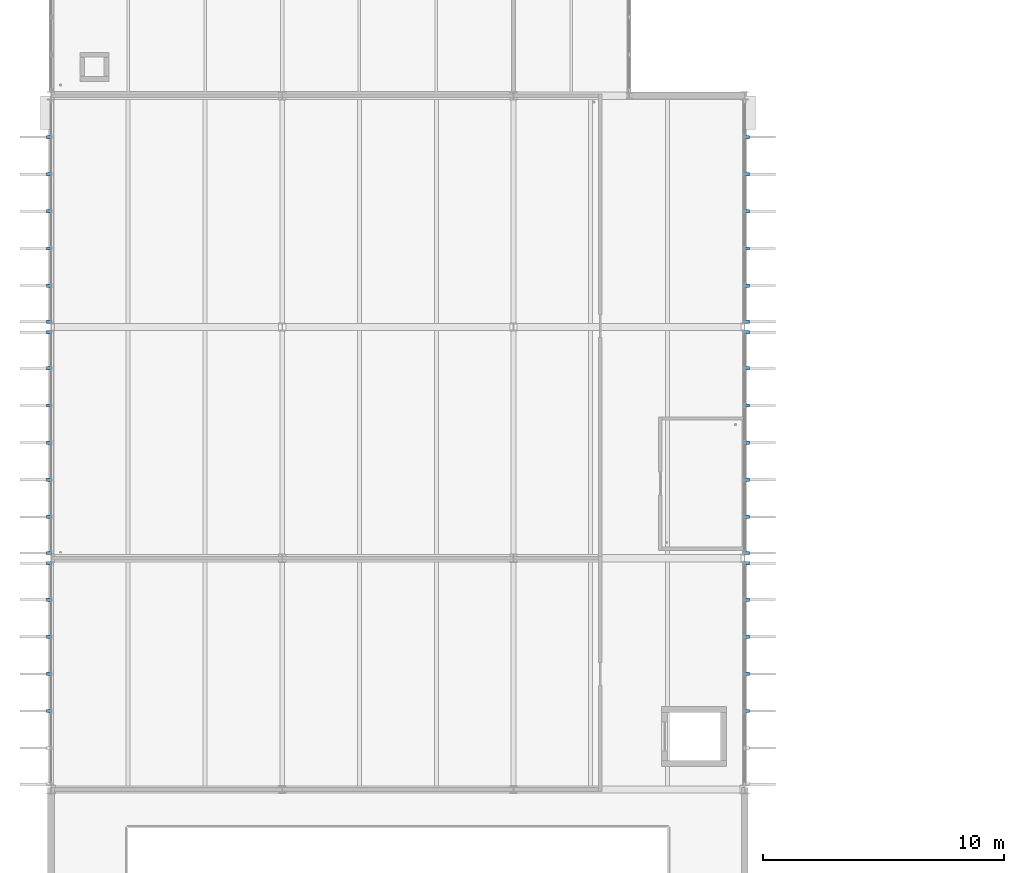
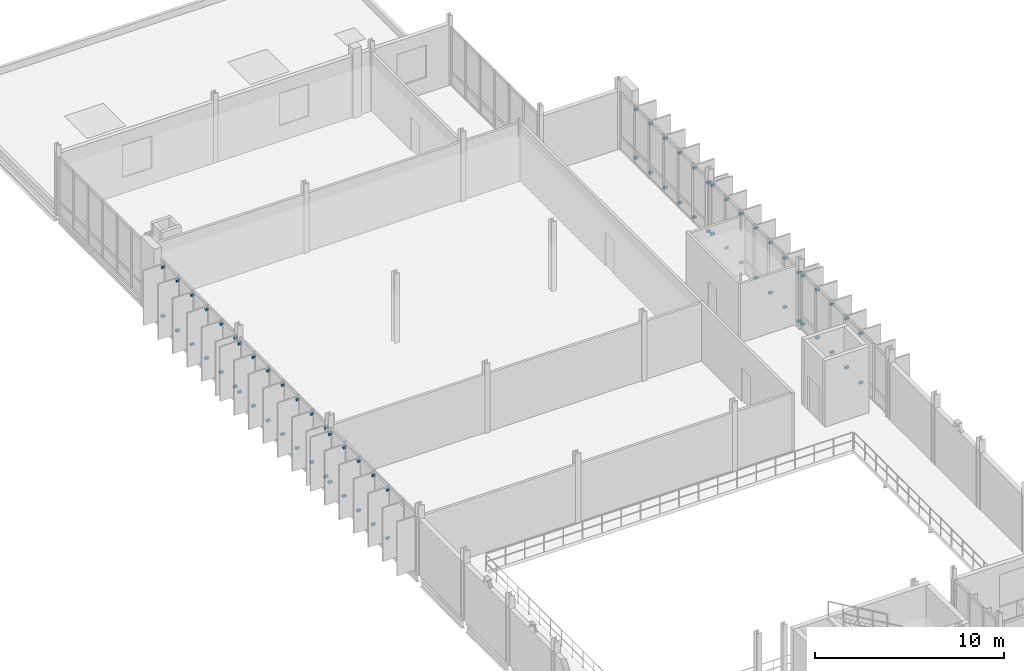
# One storey, part 96 of 107: 72 discrete accessories.
"""IFC4 building model written with IfcOpenShell, lengths in metres."""

from ifc_helpers import new_model, si_unit, direction, frame, origin, origin_2d, place, context, subcontext, project, spatial, rectangle, extrude, material, type_object, element, save


model = new_model("IFC4")

# Units and contexts
model_context = context("Model", 3, precision=1e-05, world=origin(), true_north=direction((0.0, 1.0)))
body_context = subcontext(model_context, "Body", "Model", "MODEL_VIEW")
ifc_project = project(units=[si_unit("LENGTHUNIT", "METRE"), si_unit("AREAUNIT", "SQUARE_METRE"), si_unit("VOLUMEUNIT", "CUBIC_METRE"), si_unit("PLANEANGLEUNIT", "RADIAN"), si_unit("MASSUNIT", "GRAM", prefix="KILO")], contexts=[model_context])

# Site, building, storey
site_placement = place(None, origin())
site = spatial("IfcSite", under=ifc_project, at=site_placement, CompositionType="ELEMENT")
building_placement = place(site_placement, origin())
building = spatial("IfcBuilding", under=site, at=building_placement, Name="Dunescarp Central Library", CompositionType="ELEMENT")
storey_placement = place(building_placement, frame((0.0, 0.0, 5.10009765625)))
storey = spatial("IfcBuildingStorey", under=building, at=storey_placement, Name="L01", CompositionType="ELEMENT", Elevation=5.10009765625)

# Discrete accessories
ifc_material = material(Name="Stainless steel Grade 316L", Category="steel")
discrete_accessory_type = type_object("IfcDiscreteAccessoryType", Name="ARC-ACC-BRK", PredefinedType="BRACKET", material=ifc_material)
for number, where, z_axis, x_axis, name in (
    (1, (-0.080078125, 64.05810546875, 0.27392578125), (0.0, 0.0, 1.0), (-1.0, 0.0, 0.0), "Fin bracket BRK-FIN-L01-0785-B"),
    (2, (-0.080078125, 64.05810546875, 3.40185546875), (0.0, 0.0, 1.0), (-1.0, 0.0, 0.0), "Fin bracket BRK-FIN-L01-0785-T"),
    (3, (-0.080078125, 65.60009765625, 0.23291015625), (0.0, 0.0, 1.0), (-1.0, 0.0, 0.0), "Fin bracket BRK-FIN-L01-0786-B"),
    (4, (-0.080078125, 65.60009765625, 3.40185546875), (0.0, 0.0, 1.0), (-1.0, 0.0, 0.0), "Fin bracket BRK-FIN-L01-0786-T"),
    (5, (-0.080078125, 67.14208984375, 0.18994140625), (0.0, 0.0, 1.0), (-1.0, 0.0, 0.0), "Fin bracket BRK-FIN-L01-0787-B"),
    (6, (-0.080078125, 67.14208984375, 3.39111328125), (0.0, 0.0, 1.0), (-1.0, 0.0, 0.0), "Fin bracket BRK-FIN-L01-0787-T"),
    (7, (-0.080078125, 68.68310546875, 0.18994140625), (0.0, 0.0, 1.0), (-1.0, 0.0, 0.0), "Fin bracket BRK-FIN-L01-0788-B"),
    (8, (-0.080078125, 68.68310546875, 3.3408203125), (0.0, 0.0, 1.0), (-1.0, 0.0, 0.0), "Fin bracket BRK-FIN-L01-0788-T"),
    (9, (-0.080078125, 70.18505859375, 0.18994140625), (0.0, 0.0, 1.0), (-1.0, 0.0, 0.0), "Fin bracket BRK-FIN-L01-0789-B"),
    (10, (-0.080078125, 70.18505859375, 3.30810546875), (0.0, 0.0, 1.0), (-1.0, 0.0, 0.0), "Fin bracket BRK-FIN-L01-0789-T"),
    (11, (28.8798828125, 70.18505859375, 0.27685546875), (0.0, 0.0, 1.0), (1.0, 0.0, 0.0), "Fin bracket BRK-FIN-L01-0790-B"),
    (12, (28.8798828125, 70.18505859375, 3.40185546875), (0.0, 0.0, 1.0), (1.0, 0.0, 0.0), "Fin bracket BRK-FIN-L01-0790-T"),
    (13, (28.8798828125, 68.68310546875, 0.2900390625), (0.0, 0.0, 1.0), (1.0, 0.0, 0.0), "Fin bracket BRK-FIN-L01-0791-B"),
    (14, (28.8798828125, 68.68310546875, 3.40185546875), (0.0, 0.0, 1.0), (1.0, 0.0, 0.0), "Fin bracket BRK-FIN-L01-0791-T"),
    (15, (28.8798828125, 67.14208984375, 0.27392578125), (0.0, 0.0, 1.0), (1.0, 0.0, 0.0), "Fin bracket BRK-FIN-L01-0792-B"),
    (16, (28.8798828125, 67.14208984375, 3.40185546875), (0.0, 0.0, 1.0), (1.0, 0.0, 0.0), "Fin bracket BRK-FIN-L01-0792-T"),
    (17, (28.8798828125, 65.60009765625, 0.23291015625), (0.0, 0.0, 1.0), (1.0, 0.0, 0.0), "Fin bracket BRK-FIN-L01-0793-B"),
    (18, (28.8798828125, 65.60009765625, 3.40185546875), (0.0, 0.0, 1.0), (1.0, 0.0, 0.0), "Fin bracket BRK-FIN-L01-0793-T"),
    (19, (28.8798828125, 64.05810546875, 0.18994140625), (0.0, 0.0, 1.0), (1.0, 0.0, 0.0), "Fin bracket BRK-FIN-L01-0794-B"),
    (20, (28.8798828125, 64.05810546875, 3.39111328125), (0.0, 0.0, 1.0), (1.0, 0.0, 0.0), "Fin bracket BRK-FIN-L01-0794-T"),
    (21, (-0.080078125, 70.614990234375, 0.27685546875), (0.0, 0.0, 1.0), (-1.0, 0.0, 0.0), "Fin bracket BRK-FIN-L01-0797-B"),
    (22, (-0.080078125, 70.614990234375, 3.43505859375), (0.0, 0.0, 1.0), (-1.0, 0.0, 0.0), "Fin bracket BRK-FIN-L01-0797-T"),
    (23, (-0.080078125, 72.116943359375, 0.2900390625), (0.0, 0.0, 1.0), (-1.0, 0.0, 0.0), "Fin bracket BRK-FIN-L01-0798-B"),
    (24, (-0.080078125, 72.116943359375, 3.43505859375), (0.0, 0.0, 1.0), (-1.0, 0.0, 0.0), "Fin bracket BRK-FIN-L01-0798-T"),
    (25, (-0.080078125, 73.657958984375, 0.27392578125), (0.0, 0.0, 1.0), (-1.0, 0.0, 0.0), "Fin bracket BRK-FIN-L01-0799-B"),
    (26, (-0.080078125, 73.657958984375, 3.43505859375), (0.0, 0.0, 1.0), (-1.0, 0.0, 0.0), "Fin bracket BRK-FIN-L01-0799-T"),
    (27, (-0.080078125, 75.199951171875, 0.23291015625), (0.0, 0.0, 1.0), (-1.0, 0.0, 0.0), "Fin bracket BRK-FIN-L01-0800-B"),
    (28, (-0.080078125, 75.199951171875, 3.43505859375), (0.0, 0.0, 1.0), (-1.0, 0.0, 0.0), "Fin bracket BRK-FIN-L01-0800-T"),
    (29, (-0.080078125, 76.741943359375, 0.18994140625), (0.0, 0.0, 1.0), (-1.0, 0.0, 0.0), "Fin bracket BRK-FIN-L01-0801-B"),
    (30, (-0.080078125, 76.741943359375, 3.423828125), (0.0, 0.0, 1.0), (-1.0, 0.0, 0.0), "Fin bracket BRK-FIN-L01-0801-T"),
    (31, (-0.080078125, 78.282958984375, 0.18994140625), (0.0, 0.0, 1.0), (-1.0, 0.0, 0.0), "Fin bracket BRK-FIN-L01-0802-B"),
    (32, (-0.080078125, 78.282958984375, 3.3740234375), (0.0, 0.0, 1.0), (-1.0, 0.0, 0.0), "Fin bracket BRK-FIN-L01-0802-T"),
    (33, (-0.080078125, 79.784912109375, 0.18994140625), (0.0, 0.0, 1.0), (-1.0, 0.0, 0.0), "Fin bracket BRK-FIN-L01-0803-B"),
    (34, (-0.080078125, 79.784912109375, 3.3408203125), (0.0, 0.0, 1.0), (-1.0, 0.0, 0.0), "Fin bracket BRK-FIN-L01-0803-T"),
    (35, (28.8798828125, 79.784912109375, 0.27685546875), (0.0, 0.0, 1.0), (1.0, 0.0, 0.0), "Fin bracket BRK-FIN-L01-0804-B"),
    (36, (28.8798828125, 79.784912109375, 3.43505859375), (0.0, 0.0, 1.0), (1.0, 0.0, 0.0), "Fin bracket BRK-FIN-L01-0804-T"),
    (37, (28.8798828125, 78.282958984375, 0.2900390625), (0.0, 0.0, 1.0), (1.0, 0.0, 0.0), "Fin bracket BRK-FIN-L01-0805-B"),
    (38, (28.8798828125, 78.282958984375, 3.43505859375), (0.0, 0.0, 1.0), (1.0, 0.0, 0.0), "Fin bracket BRK-FIN-L01-0805-T"),
    (39, (28.8798828125, 76.741943359375, 0.27392578125), (0.0, 0.0, 1.0), (1.0, 0.0, 0.0), "Fin bracket BRK-FIN-L01-0806-B"),
    (40, (28.8798828125, 76.741943359375, 3.43505859375), (0.0, 0.0, 1.0), (1.0, 0.0, 0.0), "Fin bracket BRK-FIN-L01-0806-T"),
    (41, (28.8798828125, 75.199951171875, 0.23291015625), (0.0, 0.0, 1.0), (1.0, 0.0, 0.0), "Fin bracket BRK-FIN-L01-0807-B"),
    (42, (28.8798828125, 75.199951171875, 3.43505859375), (0.0, 0.0, 1.0), (1.0, 0.0, 0.0), "Fin bracket BRK-FIN-L01-0807-T"),
    (43, (28.8798828125, 73.657958984375, 0.18994140625), (0.0, 0.0, 1.0), (1.0, 0.0, 0.0), "Fin bracket BRK-FIN-L01-0808-B"),
    (44, (28.8798828125, 73.657958984375, 3.423828125), (0.0, 0.0, 1.0), (1.0, 0.0, 0.0), "Fin bracket BRK-FIN-L01-0808-T"),
    (45, (28.8798828125, 72.116943359375, 0.18994140625), (0.0, 0.0, 1.0), (1.0, 0.0, 0.0), "Fin bracket BRK-FIN-L01-0809-B"),
    (46, (28.8798828125, 72.116943359375, 3.3740234375), (0.0, 0.0, 1.0), (1.0, 0.0, 0.0), "Fin bracket BRK-FIN-L01-0809-T"),
    (47, (28.8798828125, 70.614990234375, 0.18994140625), (0.0, 0.0, 1.0), (1.0, 0.0, 0.0), "Fin bracket BRK-FIN-L01-0810-B"),
    (48, (28.8798828125, 70.614990234375, 3.3408203125), (0.0, 0.0, 1.0), (1.0, 0.0, 0.0), "Fin bracket BRK-FIN-L01-0810-T"),
    (49, (-0.080078125, 80.215087890625, 0.27685546875), (0.0, 0.0, 1.0), (-1.0, 0.0, 0.0), "Fin bracket BRK-FIN-L01-0811-B"),
    (50, (-0.080078125, 80.215087890625, 3.43505859375), (0.0, 0.0, 1.0), (-1.0, 0.0, 0.0), "Fin bracket BRK-FIN-L01-0811-T"),
    (51, (-0.080078125, 81.717041015625, 0.2900390625), (0.0, 0.0, 1.0), (-1.0, 0.0, 0.0), "Fin bracket BRK-FIN-L01-0812-B"),
    (52, (-0.080078125, 81.717041015625, 3.43505859375), (0.0, 0.0, 1.0), (-1.0, 0.0, 0.0), "Fin bracket BRK-FIN-L01-0812-T"),
    (53, (-0.080078125, 83.258056640625, 0.27392578125), (0.0, 0.0, 1.0), (-1.0, 0.0, 0.0), "Fin bracket BRK-FIN-L01-0813-B"),
    (54, (-0.080078125, 83.258056640625, 3.43505859375), (0.0, 0.0, 1.0), (-1.0, 0.0, 0.0), "Fin bracket BRK-FIN-L01-0813-T"),
    (55, (-0.080078125, 84.800048828125, 0.23291015625), (0.0, 0.0, 1.0), (-1.0, 0.0, 0.0), "Fin bracket BRK-FIN-L01-0814-B"),
    (56, (-0.080078125, 84.800048828125, 3.43505859375), (0.0, 0.0, 1.0), (-1.0, 0.0, 0.0), "Fin bracket BRK-FIN-L01-0814-T"),
    (57, (-0.080078125, 86.342041015625, 0.18994140625), (0.0, 0.0, 1.0), (-1.0, 0.0, 0.0), "Fin bracket BRK-FIN-L01-0815-B"),
    (58, (-0.080078125, 86.342041015625, 3.423828125), (0.0, 0.0, 1.0), (-1.0, 0.0, 0.0), "Fin bracket BRK-FIN-L01-0815-T"),
    (59, (-0.080078125, 87.883056640625, 0.18994140625), (0.0, 0.0, 1.0), (-1.0, 0.0, 0.0), "Fin bracket BRK-FIN-L01-0816-B"),
    (60, (-0.080078125, 87.883056640625, 3.3740234375), (0.0, 0.0, 1.0), (-1.0, 0.0, 0.0), "Fin bracket BRK-FIN-L01-0816-T"),
    (61, (28.8798828125, 87.883056640625, 0.2900390625), (0.0, 0.0, 1.0), (1.0, 0.0, 0.0), "Fin bracket BRK-FIN-L01-0817-B"),
    (62, (28.8798828125, 87.883056640625, 3.43505859375), (0.0, 0.0, 1.0), (1.0, 0.0, 0.0), "Fin bracket BRK-FIN-L01-0817-T"),
    (63, (28.8798828125, 86.342041015625, 0.27392578125), (0.0, 0.0, 1.0), (1.0, 0.0, 0.0), "Fin bracket BRK-FIN-L01-0818-B"),
    (64, (28.8798828125, 86.342041015625, 3.43505859375), (0.0, 0.0, 1.0), (1.0, 0.0, 0.0), "Fin bracket BRK-FIN-L01-0818-T"),
    (65, (28.8798828125, 84.800048828125, 0.23291015625), (0.0, 0.0, 1.0), (1.0, 0.0, 0.0), "Fin bracket BRK-FIN-L01-0819-B"),
    (66, (28.8798828125, 84.800048828125, 3.43505859375), (0.0, 0.0, 1.0), (1.0, 0.0, 0.0), "Fin bracket BRK-FIN-L01-0819-T"),
    (67, (28.8798828125, 83.258056640625, 0.18994140625), (0.0, 0.0, 1.0), (1.0, 0.0, 0.0), "Fin bracket BRK-FIN-L01-0820-B"),
    (68, (28.8798828125, 83.258056640625, 3.423828125), (0.0, 0.0, 1.0), (1.0, 0.0, 0.0), "Fin bracket BRK-FIN-L01-0820-T"),
    (69, (28.8798828125, 81.717041015625, 0.18994140625), (0.0, 0.0, 1.0), (1.0, 0.0, 0.0), "Fin bracket BRK-FIN-L01-0821-B"),
    (70, (28.8798828125, 81.717041015625, 3.3740234375), (0.0, 0.0, 1.0), (1.0, 0.0, 0.0), "Fin bracket BRK-FIN-L01-0821-T"),
    (71, (28.8798828125, 80.215087890625, 0.18994140625), (0.0, 0.0, 1.0), (1.0, 0.0, 0.0), "Fin bracket BRK-FIN-L01-0822-B"),
    (72, (28.8798828125, 80.215087890625, 3.3408203125), (0.0, 0.0, 1.0), (1.0, 0.0, 0.0), "Fin bracket BRK-FIN-L01-0822-T"),
):
    element("IfcDiscreteAccessory", number, at=place(storey_placement, frame(where, z_axis=z_axis, x_axis=x_axis)), inside=storey, type_object=discrete_accessory_type, Name=name, PredefinedType="BRACKET", context=body_context, shape_type="SweptSolid", body=[
        extrude(rectangle(XDim=0.219970703125, YDim=0.139892578125, at=origin_2d()), origin(), (0.0, 0.0, 1.0), 0.139892578125),
    ])

save(model, "model.ifc")
